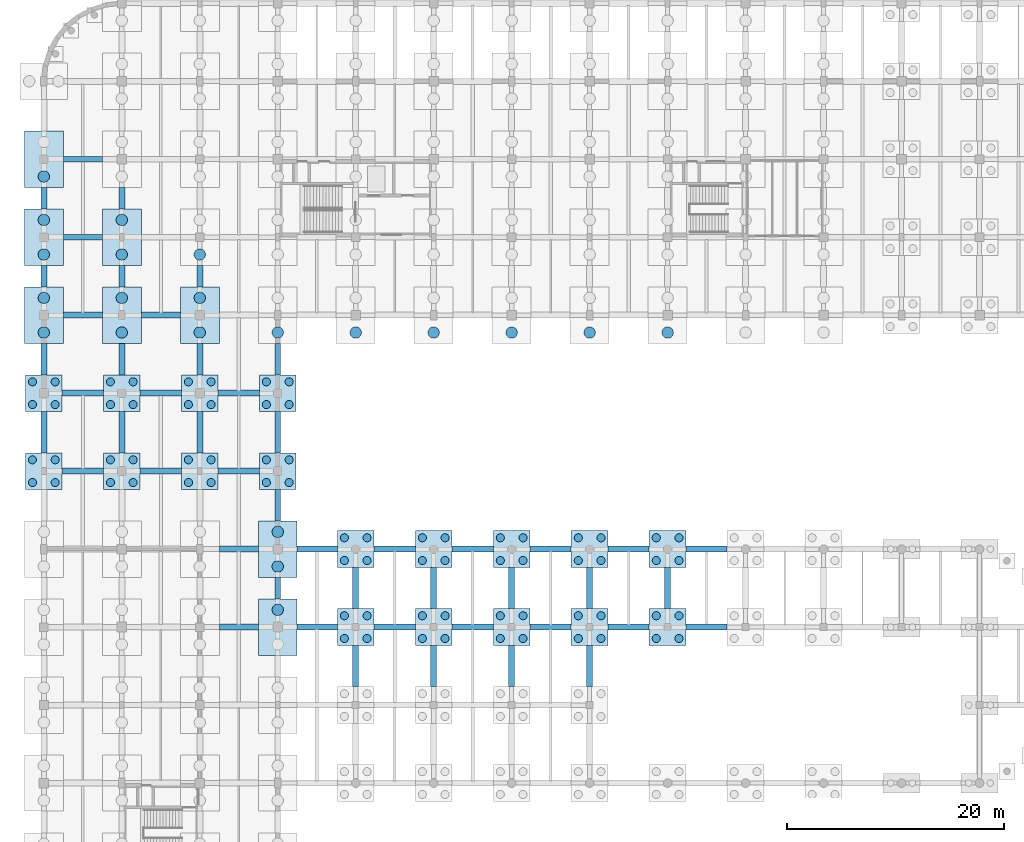
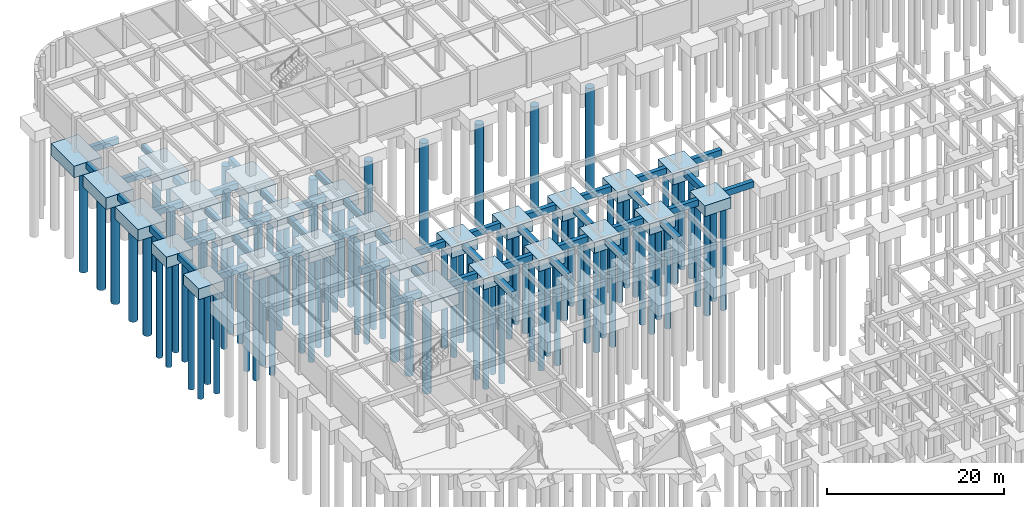
# One storey, part 6 of 47: 93 piles, 74 footings.
"""IFC4 building model written with IfcOpenShell, lengths in metres."""

from ifc_helpers import new_model, si_unit, direction, frame, origin, origin_2d, place, context, subcontext, project, spatial, rectangle, circle, extrude, material, material_profile, profile_set, type_object, element, save


model = new_model("IFC4")

# Units and contexts
model_context = context("Model", 3, precision=1e-05, world=origin(), true_north=direction((0.0, 1.0)))
body_context = subcontext(model_context, "Body", "Model", "MODEL_VIEW")
ifc_project = project(units=[si_unit("LENGTHUNIT", "METRE"), si_unit("AREAUNIT", "SQUARE_METRE"), si_unit("VOLUMEUNIT", "CUBIC_METRE"), si_unit("PLANEANGLEUNIT", "RADIAN"), si_unit("MASSUNIT", "GRAM", prefix="KILO")], contexts=[model_context])

# Site, building, storey
site_placement = place(None, origin())
site = spatial("IfcSite", under=ifc_project, at=site_placement, CompositionType="ELEMENT")
building_placement = place(site_placement, origin())
building = spatial("IfcBuilding", under=site, at=building_placement, Name="Thalmaran Polytechnic", CompositionType="ELEMENT")
storey_placement = place(building_placement, frame((0.0, 0.0, -4.5)))
storey = spatial("IfcBuildingStorey", under=building, at=storey_placement, Name="B1", CompositionType="ELEMENT", Elevation=-4.5)

# Footings
ifc_material_1 = material(Name="Concrete C40/50", Category="concrete")
ifc_material_profile_1 = material_profile(ifc_material_1, rectangle(XDim=0.550048828125, YDim=0.85009765625, at=origin_2d()), Name="RC 550x850")
ifc_profile_set_1 = profile_set([ifc_material_profile_1], Name="Concrete C40/50")
footing_type_1 = type_object("IfcFootingType", Name="FN-GB01", PredefinedType="FOOTING_BEAM", material=ifc_profile_set_1)
for number, where, z_axis, x_axis, name in (
    (1, (1.699951171875, 79.199951171875, -0.875), (1.0, 0.0, 0.0), (0.0, 1.0, 0.0), "Ground Tie Beam B1 X (0,11)"),
    (2, (0.0, 80.89990234375, -0.875), (0.0, 1.0, 0.0), (-1.0, 0.0, 0.0), "Ground Tie Beam B1 Y (0,11)"),
    (3, (1.699951171875, 86.39990234375, -0.875), (1.0, 0.0, 0.0), (0.0, 1.0, 0.0), "Ground Tie Beam B1 X (0,12)"),
):
    element("IfcFooting", number, at=place(storey_placement, frame(where, z_axis=z_axis, x_axis=x_axis)), inside=storey, type_object=footing_type_1, Name=name, PredefinedType="FOOTING_BEAM", context=body_context, shape_type="SweptSolid", body=[
        extrude(rectangle(XDim=0.550048828125, YDim=0.85009765625, at=origin_2d()), origin(), (0.0, 0.0, 1.0), 3.800048828125),
    ])
footing_1_placement = place(storey_placement, frame((0.0, 88.10009765625, -0.875), z_axis=(0.0, 1.0, 0.0), x_axis=(-1.0, 0.0, 0.0)))
element("IfcFooting", 4, at=footing_1_placement, inside=storey, type_object=footing_type_1, Name="Ground Tie Beam B1 Y (0,12)", PredefinedType="FOOTING_BEAM", context=body_context, shape_type="SweptSolid", body=[
    extrude(rectangle(XDim=0.550048828125, YDim=0.85009765625, at=origin_2d()), origin(), (0.0, 0.0, 1.0), 2.89990234375),
])
footing_2_placement = place(storey_placement, frame((1.800048828125, 93.60009765625, -0.875), z_axis=(1.0, 0.0, 0.0), x_axis=(0.0, 1.0, 0.0)))
element("IfcFooting", 5, at=footing_2_placement, inside=storey, type_object=footing_type_1, Name="Ground Tie Beam B1 X (0,13)", PredefinedType="FOOTING_BEAM", context=body_context, shape_type="SweptSolid", body=[
    extrude(rectangle(XDim=0.550048828125, YDim=0.85009765625, at=origin_2d()), origin(), (0.0, 0.0, 1.0), 3.599853515625),
])
footing_3_placement = place(storey_placement, frame((0.0, 96.199951171875, -0.875), z_axis=(0.0, 1.0, 0.0), x_axis=(-1.0, 0.0, 0.0)))
element("IfcFooting", 6, at=footing_3_placement, inside=storey, type_object=footing_type_1, Name="Ground Tie Beam B1 Y (0,13)", PredefinedType="FOOTING_BEAM", context=body_context, shape_type="SweptSolid", body=[
    extrude(rectangle(XDim=0.550048828125, YDim=0.85009765625, at=origin_2d()), origin(), (0.0, 0.0, 1.0), 2.0),
])
footing_4_placement = place(storey_placement, frame((1.800048828125, 100.800048828125, -0.875), z_axis=(1.0, 0.0, 0.0), x_axis=(0.0, 1.0, 0.0)))
element("IfcFooting", 7, at=footing_4_placement, inside=storey, type_object=footing_type_1, Name="Ground Tie Beam B1 X (0,14)", PredefinedType="FOOTING_BEAM", context=body_context, shape_type="SweptSolid", body=[
    extrude(rectangle(XDim=0.550048828125, YDim=0.85009765625, at=origin_2d()), origin(), (0.0, 0.0, 1.0), 3.599853515625),
])
footing_5_placement = place(storey_placement, frame((0.0, 103.39990234375, -0.875), z_axis=(0.0, 1.0, 0.0), x_axis=(-1.0, 0.0, 0.0)))
element("IfcFooting", 8, at=footing_5_placement, inside=storey, type_object=footing_type_1, Name="Ground Tie Beam B1 Y (0,14)", PredefinedType="FOOTING_BEAM", context=body_context, shape_type="SweptSolid", body=[
    extrude(rectangle(XDim=0.550048828125, YDim=0.85009765625, at=origin_2d()), origin(), (0.0, 0.0, 1.0), 2.0),
])
footing_6_placement = place(storey_placement, frame((1.800048828125, 108.0, -0.875), z_axis=(1.0, 0.0, 0.0), x_axis=(0.0, 1.0, 0.0)))
element("IfcFooting", 9, at=footing_6_placement, inside=storey, type_object=footing_type_1, Name="Ground Tie Beam B1 X (0,15)", PredefinedType="FOOTING_BEAM", context=body_context, shape_type="SweptSolid", body=[
    extrude(rectangle(XDim=0.550048828125, YDim=0.85009765625, at=origin_2d()), origin(), (0.0, 0.0, 1.0), 3.599853515625),
])
for number, where, z_axis, x_axis, name in (
    (10, (8.89990234375, 79.199951171875, -0.875), (1.0, 0.0, 0.0), (0.0, 1.0, 0.0), "Ground Tie Beam B1 X (1,11)"),
    (11, (7.199951171875, 80.89990234375, -0.875), (0.0, 1.0, 0.0), (-1.0, 0.0, 0.0), "Ground Tie Beam B1 Y (1,11)"),
    (12, (8.89990234375, 86.39990234375, -0.875), (1.0, 0.0, 0.0), (0.0, 1.0, 0.0), "Ground Tie Beam B1 X (1,12)"),
):
    element("IfcFooting", number, at=place(storey_placement, frame(where, z_axis=z_axis, x_axis=x_axis)), inside=storey, type_object=footing_type_1, Name=name, PredefinedType="FOOTING_BEAM", context=body_context, shape_type="SweptSolid", body=[
        extrude(rectangle(XDim=0.550048828125, YDim=0.85009765625, at=origin_2d()), origin(), (0.0, 0.0, 1.0), 3.800048828125),
    ])
footing_7_placement = place(storey_placement, frame((7.199951171875, 88.10009765625, -0.875), z_axis=(0.0, 1.0, 0.0), x_axis=(-1.0, 0.0, 0.0)))
element("IfcFooting", 13, at=footing_7_placement, inside=storey, type_object=footing_type_1, Name="Ground Tie Beam B1 Y (1,12)", PredefinedType="FOOTING_BEAM", context=body_context, shape_type="SweptSolid", body=[
    extrude(rectangle(XDim=0.550048828125, YDim=0.85009765625, at=origin_2d()), origin(), (0.0, 0.0, 1.0), 2.89990234375),
])
footing_8_placement = place(storey_placement, frame((9.0, 93.60009765625, -0.875), z_axis=(1.0, 0.0, 0.0), x_axis=(0.0, 1.0, 0.0)))
element("IfcFooting", 14, at=footing_8_placement, inside=storey, type_object=footing_type_1, Name="Ground Tie Beam B1 X (1,13)", PredefinedType="FOOTING_BEAM", context=body_context, shape_type="SweptSolid", body=[
    extrude(rectangle(XDim=0.550048828125, YDim=0.85009765625, at=origin_2d()), origin(), (0.0, 0.0, 1.0), 3.60009765625),
])
for number, where, z_axis, x_axis, name in (
    (15, (7.199951171875, 96.199951171875, -0.875), (0.0, 1.0, 0.0), (-1.0, 0.0, 0.0), "Ground Tie Beam B1 Y (1,13)"),
    (16, (7.199951171875, 103.39990234375, -0.875), (0.0, 1.0, 0.0), (-1.0, 0.0, 0.0), "Ground Tie Beam B1 Y (1,14)"),
):
    element("IfcFooting", number, at=place(storey_placement, frame(where, z_axis=z_axis, x_axis=x_axis)), inside=storey, type_object=footing_type_1, Name=name, PredefinedType="FOOTING_BEAM", context=body_context, shape_type="SweptSolid", body=[
        extrude(rectangle(XDim=0.550048828125, YDim=0.85009765625, at=origin_2d()), origin(), (0.0, 0.0, 1.0), 2.0),
    ])
for number, where, z_axis, x_axis, name in (
    (17, (16.199951171875, 64.800048828125, -0.875), (1.0, 0.0, 0.0), (0.0, 1.0, 0.0), "Ground Tie Beam B1 X (2,9)"),
    (18, (16.199951171875, 72.0, -0.875), (1.0, 0.0, 0.0), (0.0, 1.0, 0.0), "Ground Tie Beam B1 X (2,10)"),
):
    element("IfcFooting", number, at=place(storey_placement, frame(where, z_axis=z_axis, x_axis=x_axis)), inside=storey, type_object=footing_type_1, Name=name, PredefinedType="FOOTING_BEAM", context=body_context, shape_type="SweptSolid", body=[
        extrude(rectangle(XDim=0.550048828125, YDim=0.85009765625, at=origin_2d()), origin(), (0.0, 0.0, 1.0), 3.60009765625),
    ])
footing_9_placement = place(storey_placement, frame((16.10009765625, 79.199951171875, -0.875), z_axis=(1.0, 0.0, 0.0), x_axis=(0.0, 1.0, 0.0)))
element("IfcFooting", 19, at=footing_9_placement, inside=storey, type_object=footing_type_1, Name="Ground Tie Beam B1 X (2,11)", PredefinedType="FOOTING_BEAM", context=body_context, shape_type="SweptSolid", body=[
    extrude(rectangle(XDim=0.550048828125, YDim=0.85009765625, at=origin_2d()), origin(), (0.0, 0.0, 1.0), 3.7998046875),
])
footing_10_placement = place(storey_placement, frame((14.39990234375, 80.89990234375, -0.875), z_axis=(0.0, 1.0, 0.0), x_axis=(-1.0, 0.0, 0.0)))
element("IfcFooting", 20, at=footing_10_placement, inside=storey, type_object=footing_type_1, Name="Ground Tie Beam B1 Y (2,11)", PredefinedType="FOOTING_BEAM", context=body_context, shape_type="SweptSolid", body=[
    extrude(rectangle(XDim=0.550048828125, YDim=0.85009765625, at=origin_2d()), origin(), (0.0, 0.0, 1.0), 3.800048828125),
])
footing_11_placement = place(storey_placement, frame((16.10009765625, 86.39990234375, -0.875), z_axis=(1.0, 0.0, 0.0), x_axis=(0.0, 1.0, 0.0)))
element("IfcFooting", 21, at=footing_11_placement, inside=storey, type_object=footing_type_1, Name="Ground Tie Beam B1 X (2,12)", PredefinedType="FOOTING_BEAM", context=body_context, shape_type="SweptSolid", body=[
    extrude(rectangle(XDim=0.550048828125, YDim=0.85009765625, at=origin_2d()), origin(), (0.0, 0.0, 1.0), 3.7998046875),
])
footing_12_placement = place(storey_placement, frame((14.39990234375, 88.10009765625, -0.875), z_axis=(0.0, 1.0, 0.0), x_axis=(-1.0, 0.0, 0.0)))
element("IfcFooting", 22, at=footing_12_placement, inside=storey, type_object=footing_type_1, Name="Ground Tie Beam B1 Y (2,12)", PredefinedType="FOOTING_BEAM", context=body_context, shape_type="SweptSolid", body=[
    extrude(rectangle(XDim=0.550048828125, YDim=0.85009765625, at=origin_2d()), origin(), (0.0, 0.0, 1.0), 2.89990234375),
])
footing_13_placement = place(storey_placement, frame((14.39990234375, 96.199951171875, -0.875), z_axis=(0.0, 1.0, 0.0), x_axis=(-1.0, 0.0, 0.0)))
element("IfcFooting", 23, at=footing_13_placement, inside=storey, type_object=footing_type_1, Name="Ground Tie Beam B1 Y (2,13)", PredefinedType="FOOTING_BEAM", context=body_context, shape_type="SweptSolid", body=[
    extrude(rectangle(XDim=0.550048828125, YDim=0.85009765625, at=origin_2d()), origin(), (0.0, 0.0, 1.0), 2.0),
])
footing_14_placement = place(storey_placement, frame((23.39990234375, 64.800048828125, -0.875), z_axis=(1.0, 0.0, 0.0), x_axis=(0.0, 1.0, 0.0)))
element("IfcFooting", 24, at=footing_14_placement, inside=storey, type_object=footing_type_1, Name="Ground Tie Beam B1 X (3,9)", PredefinedType="FOOTING_BEAM", context=body_context, shape_type="SweptSolid", body=[
    extrude(rectangle(XDim=0.550048828125, YDim=0.85009765625, at=origin_2d()), origin(), (0.0, 0.0, 1.0), 3.7001953125),
])
footing_15_placement = place(storey_placement, frame((21.60009765625, 67.39990234375, -0.875), z_axis=(0.0, 1.0, 0.0), x_axis=(-1.0, 0.0, 0.0)))
element("IfcFooting", 25, at=footing_15_placement, inside=storey, type_object=footing_type_1, Name="Ground Tie Beam B1 Y (3,9)", PredefinedType="FOOTING_BEAM", context=body_context, shape_type="SweptSolid", body=[
    extrude(rectangle(XDim=0.550048828125, YDim=0.85009765625, at=origin_2d()), origin(), (0.0, 0.0, 1.0), 2.0),
])
footing_16_placement = place(storey_placement, frame((23.39990234375, 72.0, -0.875), z_axis=(1.0, 0.0, 0.0), x_axis=(0.0, 1.0, 0.0)))
element("IfcFooting", 26, at=footing_16_placement, inside=storey, type_object=footing_type_1, Name="Ground Tie Beam B1 X (3,10)", PredefinedType="FOOTING_BEAM", context=body_context, shape_type="SweptSolid", body=[
    extrude(rectangle(XDim=0.550048828125, YDim=0.85009765625, at=origin_2d()), origin(), (0.0, 0.0, 1.0), 3.7001953125),
])
footing_17_placement = place(storey_placement, frame((21.60009765625, 74.60009765625, -0.875), z_axis=(0.0, 1.0, 0.0), x_axis=(-1.0, 0.0, 0.0)))
element("IfcFooting", 27, at=footing_17_placement, inside=storey, type_object=footing_type_1, Name="Ground Tie Beam B1 Y (3,10)", PredefinedType="FOOTING_BEAM", context=body_context, shape_type="SweptSolid", body=[
    extrude(rectangle(XDim=0.550048828125, YDim=0.85009765625, at=origin_2d()), origin(), (0.0, 0.0, 1.0), 2.89990234375),
])
footing_18_placement = place(storey_placement, frame((21.60009765625, 80.89990234375, -0.875), z_axis=(0.0, 1.0, 0.0), x_axis=(-1.0, 0.0, 0.0)))
element("IfcFooting", 28, at=footing_18_placement, inside=storey, type_object=footing_type_1, Name="Ground Tie Beam B1 Y (3,11)", PredefinedType="FOOTING_BEAM", context=body_context, shape_type="SweptSolid", body=[
    extrude(rectangle(XDim=0.550048828125, YDim=0.85009765625, at=origin_2d()), origin(), (0.0, 0.0, 1.0), 3.800048828125),
])
footing_19_placement = place(storey_placement, frame((21.60009765625, 88.10009765625, -0.875), z_axis=(0.0, 1.0, 0.0), x_axis=(-1.0, 0.0, 0.0)))
element("IfcFooting", 29, at=footing_19_placement, inside=storey, type_object=footing_type_1, Name="Ground Tie Beam B1 Y (3,12)", PredefinedType="FOOTING_BEAM", context=body_context, shape_type="SweptSolid", body=[
    extrude(rectangle(XDim=0.550048828125, YDim=0.85009765625, at=origin_2d()), origin(), (0.0, 0.0, 1.0), 2.89990234375),
])
for number, where, z_axis, x_axis, name in (
    (30, (28.800048828125, 59.300048828125, -0.875), (0.0, 1.0, 0.0), (-1.0, 0.0, 0.0), "Ground Tie Beam B1 Y (4,8)"),
    (31, (30.5, 64.800048828125, -0.875), (1.0, 0.0, 0.0), (0.0, 1.0, 0.0), "Ground Tie Beam B1 X (4,9)"),
    (32, (28.800048828125, 66.5, -0.875), (0.0, 1.0, 0.0), (-1.0, 0.0, 0.0), "Ground Tie Beam B1 Y (4,9)"),
    (33, (30.5, 72.0, -0.875), (1.0, 0.0, 0.0), (0.0, 1.0, 0.0), "Ground Tie Beam B1 X (4,10)"),
    (34, (36.0, 59.300048828125, -0.875), (0.0, 1.0, 0.0), (-1.0, 0.0, 0.0), "Ground Tie Beam B1 Y (5,8)"),
    (35, (37.699951171875, 64.800048828125, -0.875), (1.0, 0.0, 0.0), (0.0, 1.0, 0.0), "Ground Tie Beam B1 X (5,9)"),
    (36, (36.0, 66.5, -0.875), (0.0, 1.0, 0.0), (-1.0, 0.0, 0.0), "Ground Tie Beam B1 Y (5,9)"),
    (37, (37.699951171875, 72.0, -0.875), (1.0, 0.0, 0.0), (0.0, 1.0, 0.0), "Ground Tie Beam B1 X (5,10)"),
    (38, (43.199951171875, 59.300048828125, -0.875), (0.0, 1.0, 0.0), (-1.0, 0.0, 0.0), "Ground Tie Beam B1 Y (6,8)"),
    (39, (44.89990234375, 64.800048828125, -0.875), (1.0, 0.0, 0.0), (0.0, 1.0, 0.0), "Ground Tie Beam B1 X (6,9)"),
    (40, (43.199951171875, 66.5, -0.875), (0.0, 1.0, 0.0), (-1.0, 0.0, 0.0), "Ground Tie Beam B1 Y (6,9)"),
    (41, (44.89990234375, 72.0, -0.875), (1.0, 0.0, 0.0), (0.0, 1.0, 0.0), "Ground Tie Beam B1 X (6,10)"),
    (42, (50.39990234375, 59.300048828125, -0.875), (0.0, 1.0, 0.0), (-1.0, 0.0, 0.0), "Ground Tie Beam B1 Y (7,8)"),
):
    element("IfcFooting", number, at=place(storey_placement, frame(where, z_axis=z_axis, x_axis=x_axis)), inside=storey, type_object=footing_type_1, Name=name, PredefinedType="FOOTING_BEAM", context=body_context, shape_type="SweptSolid", body=[
        extrude(rectangle(XDim=0.550048828125, YDim=0.85009765625, at=origin_2d()), origin(), (0.0, 0.0, 1.0), 3.800048828125),
    ])
footing_20_placement = place(storey_placement, frame((52.10009765625, 64.800048828125, -0.875), z_axis=(1.0, 0.0, 0.0), x_axis=(0.0, 1.0, 0.0)))
element("IfcFooting", 43, at=footing_20_placement, inside=storey, type_object=footing_type_1, Name="Ground Tie Beam B1 X (7,9)", PredefinedType="FOOTING_BEAM", context=body_context, shape_type="SweptSolid", body=[
    extrude(rectangle(XDim=0.550048828125, YDim=0.85009765625, at=origin_2d()), origin(), (0.0, 0.0, 1.0), 3.7998046875),
])
footing_21_placement = place(storey_placement, frame((50.39990234375, 66.5, -0.875), z_axis=(0.0, 1.0, 0.0), x_axis=(-1.0, 0.0, 0.0)))
element("IfcFooting", 44, at=footing_21_placement, inside=storey, type_object=footing_type_1, Name="Ground Tie Beam B1 Y (7,9)", PredefinedType="FOOTING_BEAM", context=body_context, shape_type="SweptSolid", body=[
    extrude(rectangle(XDim=0.550048828125, YDim=0.85009765625, at=origin_2d()), origin(), (0.0, 0.0, 1.0), 3.800048828125),
])
footing_22_placement = place(storey_placement, frame((52.10009765625, 72.0, -0.875), z_axis=(1.0, 0.0, 0.0), x_axis=(0.0, 1.0, 0.0)))
element("IfcFooting", 45, at=footing_22_placement, inside=storey, type_object=footing_type_1, Name="Ground Tie Beam B1 X (7,10)", PredefinedType="FOOTING_BEAM", context=body_context, shape_type="SweptSolid", body=[
    extrude(rectangle(XDim=0.550048828125, YDim=0.85009765625, at=origin_2d()), origin(), (0.0, 0.0, 1.0), 3.7998046875),
])
for number, where, z_axis, x_axis, name in (
    (46, (59.300048828125, 64.800048828125, -0.875), (1.0, 0.0, 0.0), (0.0, 1.0, 0.0), "Ground Tie Beam B1 X (8,9)"),
    (47, (57.60009765625, 66.5, -0.875), (0.0, 1.0, 0.0), (-1.0, 0.0, 0.0), "Ground Tie Beam B1 Y (8,9)"),
    (48, (59.300048828125, 72.0, -0.875), (1.0, 0.0, 0.0), (0.0, 1.0, 0.0), "Ground Tie Beam B1 X (8,10)"),
):
    element("IfcFooting", number, at=place(storey_placement, frame(where, z_axis=z_axis, x_axis=x_axis)), inside=storey, type_object=footing_type_1, Name=name, PredefinedType="FOOTING_BEAM", context=body_context, shape_type="SweptSolid", body=[
        extrude(rectangle(XDim=0.550048828125, YDim=0.85009765625, at=origin_2d()), origin(), (0.0, 0.0, 1.0), 3.800048828125),
    ])
footing_type_2 = type_object("IfcFootingType", Name="FN-PC01", PredefinedType="PILE_CAP", material=ifc_material_1)
for number, where, z_axis, x_axis, name in (
    (49, (0.0, 79.199951171875, -1.949951171875), (0.0, 0.0, 1.0), (1.0, 0.0, 0.0), "Pile Cap PC01 (0,11)"),
    (50, (0.0, 86.39990234375, -1.949951171875), (0.0, 0.0, 1.0), (1.0, 0.0, 0.0), "Pile Cap PC01 (0,12)"),
    (51, (7.199951171875, 79.199951171875, -1.949951171875), (0.0, 0.0, 1.0), (1.0, 0.0, 0.0), "Pile Cap PC01 (1,11)"),
    (52, (7.199951171875, 86.39990234375, -1.949951171875), (0.0, 0.0, 1.0), (1.0, 0.0, 0.0), "Pile Cap PC01 (1,12)"),
    (53, (14.39990234375, 79.199951171875, -1.949951171875), (0.0, 0.0, 1.0), (1.0, 0.0, 0.0), "Pile Cap PC01 (2,11)"),
    (54, (14.39990234375, 86.39990234375, -1.949951171875), (0.0, 0.0, 1.0), (1.0, 0.0, 0.0), "Pile Cap PC01 (2,12)"),
    (55, (21.60009765625, 79.199951171875, -1.949951171875), (0.0, 0.0, 1.0), (1.0, 0.0, 0.0), "Pile Cap PC01 (3,11)"),
    (56, (21.60009765625, 86.39990234375, -1.949951171875), (0.0, 0.0, 1.0), (1.0, 0.0, 0.0), "Pile Cap PC01 (3,12)"),
    (57, (28.800048828125, 64.800048828125, -1.949951171875), (0.0, 0.0, 1.0), (1.0, 0.0, 0.0), "Pile Cap PC01 (4,9)"),
    (58, (28.800048828125, 72.0, -1.949951171875), (0.0, 0.0, 1.0), (1.0, 0.0, 0.0), "Pile Cap PC01 (4,10)"),
    (59, (36.0, 64.800048828125, -1.949951171875), (0.0, 0.0, 1.0), (1.0, 0.0, 0.0), "Pile Cap PC01 (5,9)"),
    (60, (36.0, 72.0, -1.949951171875), (0.0, 0.0, 1.0), (1.0, 0.0, 0.0), "Pile Cap PC01 (5,10)"),
    (61, (43.199951171875, 64.800048828125, -1.949951171875), (0.0, 0.0, 1.0), (1.0, 0.0, 0.0), "Pile Cap PC01 (6,9)"),
    (62, (43.199951171875, 72.0, -1.949951171875), (0.0, 0.0, 1.0), (1.0, 0.0, 0.0), "Pile Cap PC01 (6,10)"),
    (63, (50.39990234375, 64.800048828125, -1.949951171875), (0.0, 0.0, 1.0), (1.0, 0.0, 0.0), "Pile Cap PC01 (7,9)"),
    (64, (50.39990234375, 72.0, -1.949951171875), (0.0, 0.0, 1.0), (1.0, 0.0, 0.0), "Pile Cap PC01 (7,10)"),
    (65, (57.60009765625, 64.800048828125, -1.949951171875), (0.0, 0.0, 1.0), (1.0, 0.0, 0.0), "Pile Cap PC01 (8,9)"),
    (66, (57.60009765625, 72.0, -1.949951171875), (0.0, 0.0, 1.0), (1.0, 0.0, 0.0), "Pile Cap PC01 (8,10)"),
):
    element("IfcFooting", number, at=place(storey_placement, frame(where, z_axis=z_axis, x_axis=x_axis)), inside=storey, type_object=footing_type_2, Name=name, PredefinedType="PILE_CAP", context=body_context, shape_type="SweptSolid", body=[
        extrude(rectangle(XDim=3.39990234375, YDim=3.39990234375, at=origin_2d()), origin(), (0.0, 0.0, 1.0), 1.5),
    ])
footing_type_3 = type_object("IfcFootingType", Name="FN-PC08", PredefinedType="PILE_CAP", material=ifc_material_1)
for number, where, z_axis, x_axis, name in (
    (67, (0.0, 93.60009765625, -2.050048828125), (0.0, 0.0, 1.0), (1.0, 0.0, 0.0), "Pile Cap PC08 (0,13)"),
    (68, (0.0, 100.800048828125, -2.050048828125), (0.0, 0.0, 1.0), (1.0, 0.0, 0.0), "Pile Cap PC08 (0,14)"),
    (69, (0.0, 108.0, -2.050048828125), (0.0, 0.0, 1.0), (1.0, 0.0, 0.0), "Pile Cap PC08 (0,15)"),
    (70, (7.199951171875, 93.60009765625, -2.050048828125), (0.0, 0.0, 1.0), (1.0, 0.0, 0.0), "Pile Cap PC08 (1,13)"),
    (71, (7.199951171875, 100.800048828125, -2.050048828125), (0.0, 0.0, 1.0), (1.0, 0.0, 0.0), "Pile Cap PC08 (1,14)"),
    (72, (14.39990234375, 93.60009765625, -2.050048828125), (0.0, 0.0, 1.0), (1.0, 0.0, 0.0), "Pile Cap PC08 (2,13)"),
    (73, (21.60009765625, 64.800048828125, -2.050048828125), (0.0, 0.0, 1.0), (1.0, 0.0, 0.0), "Pile Cap PC08 (3,9)"),
    (74, (21.60009765625, 72.0, -2.050048828125), (0.0, 0.0, 1.0), (1.0, 0.0, 0.0), "Pile Cap PC08 (3,10)"),
):
    element("IfcFooting", number, at=place(storey_placement, frame(where, z_axis=z_axis, x_axis=x_axis)), inside=storey, type_object=footing_type_3, Name=name, PredefinedType="PILE_CAP", context=body_context, shape_type="SweptSolid", body=[
        extrude(rectangle(XDim=3.60009765625, YDim=5.199951171875, at=origin_2d()), origin(), (0.0, 0.0, 1.0), 1.60009765625),
    ])

# Piles
ifc_material_2 = material(Name="Concrete C35/45", Category="concrete")
ifc_material_profile_2 = material_profile(ifc_material_2, circle(Radius=0.52490234375, at=origin_2d()), Name="RC 1050 DIA")
ifc_profile_set_2 = profile_set([ifc_material_profile_2], Name="Concrete C35/45")
pile_type_1 = type_object("IfcPileType", Name="PL-BP01", PredefinedType="BORED", material=ifc_profile_set_2)
for number, where, z_axis, x_axis, name in (
    (75, (0.0, 92.0, -2.050048828125), (0.0, 0.0, -1.0), (1.0, 0.0, 0.0), "Bored Pile BP01 (0,13)-1"),
    (76, (0.0, 95.199951171875, -2.050048828125), (0.0, 0.0, -1.0), (1.0, 0.0, 0.0), "Bored Pile BP01 (0,13)-2"),
    (77, (0.0, 99.199951171875, -2.050048828125), (0.0, 0.0, -1.0), (1.0, 0.0, 0.0), "Bored Pile BP01 (0,14)-1"),
    (78, (0.0, 102.39990234375, -2.050048828125), (0.0, 0.0, -1.0), (1.0, 0.0, 0.0), "Bored Pile BP01 (0,14)-2"),
    (79, (0.0, 106.39990234375, -2.050048828125), (0.0, 0.0, -1.0), (1.0, 0.0, 0.0), "Bored Pile BP01 (0,15)-1"),
    (80, (7.199951171875, 92.0, -2.050048828125), (0.0, 0.0, -1.0), (1.0, 0.0, 0.0), "Bored Pile BP01 (1,13)-1"),
    (81, (7.199951171875, 95.199951171875, -2.050048828125), (0.0, 0.0, -1.0), (1.0, 0.0, 0.0), "Bored Pile BP01 (1,13)-2"),
    (82, (7.199951171875, 99.199951171875, -2.050048828125), (0.0, 0.0, -1.0), (1.0, 0.0, 0.0), "Bored Pile BP01 (1,14)-1"),
    (83, (7.199951171875, 102.39990234375, -2.050048828125), (0.0, 0.0, -1.0), (1.0, 0.0, 0.0), "Bored Pile BP01 (1,14)-2"),
    (84, (14.39990234375, 92.0, -2.050048828125), (0.0, 0.0, -1.0), (1.0, 0.0, 0.0), "Bored Pile BP01 (2,13)-1"),
    (85, (14.39990234375, 95.199951171875, -2.050048828125), (0.0, 0.0, -1.0), (1.0, 0.0, 0.0), "Bored Pile BP01 (2,13)-2"),
    (86, (14.39990234375, 99.199951171875, -2.050048828125), (0.0, 0.0, -1.0), (1.0, 0.0, 0.0), "Bored Pile BP01 (2,14)-1"),
    (87, (21.60009765625, 66.39990234375, -2.050048828125), (0.0, 0.0, -1.0), (1.0, 0.0, 0.0), "Bored Pile BP01 (3,9)-2"),
    (88, (21.60009765625, 70.39990234375, -2.050048828125), (0.0, 0.0, -1.0), (1.0, 0.0, 0.0), "Bored Pile BP01 (3,10)-1"),
    (89, (21.60009765625, 73.60009765625, -2.050048828125), (0.0, 0.0, -1.0), (1.0, 0.0, 0.0), "Bored Pile BP01 (3,10)-2"),
    (90, (21.60009765625, 92.0, -2.050048828125), (0.0, 0.0, -1.0), (1.0, 0.0, 0.0), "Bored Pile BP01 (3,13)-1"),
    (91, (28.800048828125, 92.0, -2.050048828125), (0.0, 0.0, -1.0), (1.0, 0.0, 0.0), "Bored Pile BP01 (4,13)-1"),
    (92, (36.0, 92.0, -2.050048828125), (0.0, 0.0, -1.0), (1.0, 0.0, 0.0), "Bored Pile BP01 (5,13)-1"),
    (93, (43.199951171875, 92.0, -2.050048828125), (0.0, 0.0, -1.0), (1.0, 0.0, 0.0), "Bored Pile BP01 (6,13)-1"),
    (94, (50.39990234375, 92.0, -2.050048828125), (0.0, 0.0, -1.0), (1.0, 0.0, 0.0), "Bored Pile BP01 (7,13)-1"),
    (95, (57.60009765625, 92.0, -2.050048828125), (0.0, 0.0, -1.0), (1.0, 0.0, 0.0), "Bored Pile BP01 (8,13)-1"),
):
    element("IfcPile", number, at=place(storey_placement, frame(where, z_axis=z_axis, x_axis=x_axis)), inside=storey, type_object=pile_type_1, Name=name, PredefinedType="BORED", context=body_context, shape_type="SweptSolid", body=[
        extrude(circle(Radius=0.52490234375, at=origin_2d()), origin(), (0.0, 0.0, 1.0), 13.949951171875),
    ])
ifc_material_profile_3 = material_profile(ifc_material_2, circle(Radius=0.375, at=origin_2d()), Name="RC 750 DIA")
ifc_profile_set_3 = profile_set([ifc_material_profile_3], Name="Concrete C35/45")
pile_type_2 = type_object("IfcPileType", Name="PL-BP03", PredefinedType="BORED", material=ifc_profile_set_3)
for number, where, z_axis, x_axis, name in (
    (96, (-1.050048828125, 78.14990234375, -1.949951171875), (0.0, 0.0, -1.0), (1.0, 0.0, 0.0), "Bored Pile BP03 (0,11)-1"),
    (97, (-1.050048828125, 80.25, -1.949951171875), (0.0, 0.0, -1.0), (1.0, 0.0, 0.0), "Bored Pile BP03 (0,11)-2"),
    (98, (1.050048828125, 78.14990234375, -1.949951171875), (0.0, 0.0, -1.0), (1.0, 0.0, 0.0), "Bored Pile BP03 (0,11)-3"),
    (99, (1.050048828125, 80.25, -1.949951171875), (0.0, 0.0, -1.0), (1.0, 0.0, 0.0), "Bored Pile BP03 (0,11)-4"),
    (100, (-1.050048828125, 85.35009765625, -1.949951171875), (0.0, 0.0, -1.0), (1.0, 0.0, 0.0), "Bored Pile BP03 (0,12)-1"),
    (101, (-1.050048828125, 87.449951171875, -1.949951171875), (0.0, 0.0, -1.0), (1.0, 0.0, 0.0), "Bored Pile BP03 (0,12)-2"),
    (102, (1.050048828125, 85.35009765625, -1.949951171875), (0.0, 0.0, -1.0), (1.0, 0.0, 0.0), "Bored Pile BP03 (0,12)-3"),
    (103, (1.050048828125, 87.449951171875, -1.949951171875), (0.0, 0.0, -1.0), (1.0, 0.0, 0.0), "Bored Pile BP03 (0,12)-4"),
    (104, (6.14990234375, 78.14990234375, -1.949951171875), (0.0, 0.0, -1.0), (1.0, 0.0, 0.0), "Bored Pile BP03 (1,11)-1"),
    (105, (6.14990234375, 80.25, -1.949951171875), (0.0, 0.0, -1.0), (1.0, 0.0, 0.0), "Bored Pile BP03 (1,11)-2"),
    (106, (8.25, 78.14990234375, -1.949951171875), (0.0, 0.0, -1.0), (1.0, 0.0, 0.0), "Bored Pile BP03 (1,11)-3"),
    (107, (8.25, 80.25, -1.949951171875), (0.0, 0.0, -1.0), (1.0, 0.0, 0.0), "Bored Pile BP03 (1,11)-4"),
    (108, (6.14990234375, 85.35009765625, -1.949951171875), (0.0, 0.0, -1.0), (1.0, 0.0, 0.0), "Bored Pile BP03 (1,12)-1"),
    (109, (6.14990234375, 87.449951171875, -1.949951171875), (0.0, 0.0, -1.0), (1.0, 0.0, 0.0), "Bored Pile BP03 (1,12)-2"),
    (110, (8.25, 85.35009765625, -1.949951171875), (0.0, 0.0, -1.0), (1.0, 0.0, 0.0), "Bored Pile BP03 (1,12)-3"),
    (111, (8.25, 87.449951171875, -1.949951171875), (0.0, 0.0, -1.0), (1.0, 0.0, 0.0), "Bored Pile BP03 (1,12)-4"),
    (112, (13.35009765625, 78.14990234375, -1.949951171875), (0.0, 0.0, -1.0), (1.0, 0.0, 0.0), "Bored Pile BP03 (2,11)-1"),
    (113, (13.35009765625, 80.25, -1.949951171875), (0.0, 0.0, -1.0), (1.0, 0.0, 0.0), "Bored Pile BP03 (2,11)-2"),
    (114, (15.449951171875, 78.14990234375, -1.949951171875), (0.0, 0.0, -1.0), (1.0, 0.0, 0.0), "Bored Pile BP03 (2,11)-3"),
    (115, (15.449951171875, 80.25, -1.949951171875), (0.0, 0.0, -1.0), (1.0, 0.0, 0.0), "Bored Pile BP03 (2,11)-4"),
    (116, (13.35009765625, 85.35009765625, -1.949951171875), (0.0, 0.0, -1.0), (1.0, 0.0, 0.0), "Bored Pile BP03 (2,12)-1"),
    (117, (13.35009765625, 87.449951171875, -1.949951171875), (0.0, 0.0, -1.0), (1.0, 0.0, 0.0), "Bored Pile BP03 (2,12)-2"),
    (118, (15.449951171875, 85.35009765625, -1.949951171875), (0.0, 0.0, -1.0), (1.0, 0.0, 0.0), "Bored Pile BP03 (2,12)-3"),
    (119, (15.449951171875, 87.449951171875, -1.949951171875), (0.0, 0.0, -1.0), (1.0, 0.0, 0.0), "Bored Pile BP03 (2,12)-4"),
    (120, (20.550048828125, 78.14990234375, -1.949951171875), (0.0, 0.0, -1.0), (1.0, 0.0, 0.0), "Bored Pile BP03 (3,11)-1"),
    (121, (20.550048828125, 80.25, -1.949951171875), (0.0, 0.0, -1.0), (1.0, 0.0, 0.0), "Bored Pile BP03 (3,11)-2"),
    (122, (22.64990234375, 78.14990234375, -1.949951171875), (0.0, 0.0, -1.0), (1.0, 0.0, 0.0), "Bored Pile BP03 (3,11)-3"),
    (123, (22.64990234375, 80.25, -1.949951171875), (0.0, 0.0, -1.0), (1.0, 0.0, 0.0), "Bored Pile BP03 (3,11)-4"),
    (124, (20.550048828125, 85.35009765625, -1.949951171875), (0.0, 0.0, -1.0), (1.0, 0.0, 0.0), "Bored Pile BP03 (3,12)-1"),
    (125, (20.550048828125, 87.449951171875, -1.949951171875), (0.0, 0.0, -1.0), (1.0, 0.0, 0.0), "Bored Pile BP03 (3,12)-2"),
    (126, (22.64990234375, 85.35009765625, -1.949951171875), (0.0, 0.0, -1.0), (1.0, 0.0, 0.0), "Bored Pile BP03 (3,12)-3"),
    (127, (22.64990234375, 87.449951171875, -1.949951171875), (0.0, 0.0, -1.0), (1.0, 0.0, 0.0), "Bored Pile BP03 (3,12)-4"),
    (128, (27.75, 63.75, -1.949951171875), (0.0, 0.0, -1.0), (1.0, 0.0, 0.0), "Bored Pile BP03 (4,9)-1"),
    (129, (27.75, 65.85009765625, -1.949951171875), (0.0, 0.0, -1.0), (1.0, 0.0, 0.0), "Bored Pile BP03 (4,9)-2"),
    (130, (29.85009765625, 63.75, -1.949951171875), (0.0, 0.0, -1.0), (1.0, 0.0, 0.0), "Bored Pile BP03 (4,9)-3"),
    (131, (29.85009765625, 65.85009765625, -1.949951171875), (0.0, 0.0, -1.0), (1.0, 0.0, 0.0), "Bored Pile BP03 (4,9)-4"),
    (132, (27.75, 70.949951171875, -1.949951171875), (0.0, 0.0, -1.0), (1.0, 0.0, 0.0), "Bored Pile BP03 (4,10)-1"),
    (133, (27.75, 73.050048828125, -1.949951171875), (0.0, 0.0, -1.0), (1.0, 0.0, 0.0), "Bored Pile BP03 (4,10)-2"),
    (134, (29.85009765625, 70.949951171875, -1.949951171875), (0.0, 0.0, -1.0), (1.0, 0.0, 0.0), "Bored Pile BP03 (4,10)-3"),
    (135, (29.85009765625, 73.050048828125, -1.949951171875), (0.0, 0.0, -1.0), (1.0, 0.0, 0.0), "Bored Pile BP03 (4,10)-4"),
    (136, (34.949951171875, 63.75, -1.949951171875), (0.0, 0.0, -1.0), (1.0, 0.0, 0.0), "Bored Pile BP03 (5,9)-1"),
    (137, (34.949951171875, 65.85009765625, -1.949951171875), (0.0, 0.0, -1.0), (1.0, 0.0, 0.0), "Bored Pile BP03 (5,9)-2"),
    (138, (37.050048828125, 63.75, -1.949951171875), (0.0, 0.0, -1.0), (1.0, 0.0, 0.0), "Bored Pile BP03 (5,9)-3"),
    (139, (37.050048828125, 65.85009765625, -1.949951171875), (0.0, 0.0, -1.0), (1.0, 0.0, 0.0), "Bored Pile BP03 (5,9)-4"),
    (140, (34.949951171875, 70.949951171875, -1.949951171875), (0.0, 0.0, -1.0), (1.0, 0.0, 0.0), "Bored Pile BP03 (5,10)-1"),
    (141, (34.949951171875, 73.050048828125, -1.949951171875), (0.0, 0.0, -1.0), (1.0, 0.0, 0.0), "Bored Pile BP03 (5,10)-2"),
    (142, (37.050048828125, 70.949951171875, -1.949951171875), (0.0, 0.0, -1.0), (1.0, 0.0, 0.0), "Bored Pile BP03 (5,10)-3"),
    (143, (37.050048828125, 73.050048828125, -1.949951171875), (0.0, 0.0, -1.0), (1.0, 0.0, 0.0), "Bored Pile BP03 (5,10)-4"),
    (144, (42.14990234375, 63.75, -1.949951171875), (0.0, 0.0, -1.0), (1.0, 0.0, 0.0), "Bored Pile BP03 (6,9)-1"),
    (145, (42.14990234375, 65.85009765625, -1.949951171875), (0.0, 0.0, -1.0), (1.0, 0.0, 0.0), "Bored Pile BP03 (6,9)-2"),
    (146, (44.25, 63.75, -1.949951171875), (0.0, 0.0, -1.0), (1.0, 0.0, 0.0), "Bored Pile BP03 (6,9)-3"),
    (147, (44.25, 65.85009765625, -1.949951171875), (0.0, 0.0, -1.0), (1.0, 0.0, 0.0), "Bored Pile BP03 (6,9)-4"),
    (148, (42.14990234375, 70.949951171875, -1.949951171875), (0.0, 0.0, -1.0), (1.0, 0.0, 0.0), "Bored Pile BP03 (6,10)-1"),
    (149, (42.14990234375, 73.050048828125, -1.949951171875), (0.0, 0.0, -1.0), (1.0, 0.0, 0.0), "Bored Pile BP03 (6,10)-2"),
    (150, (44.25, 70.949951171875, -1.949951171875), (0.0, 0.0, -1.0), (1.0, 0.0, 0.0), "Bored Pile BP03 (6,10)-3"),
    (151, (44.25, 73.050048828125, -1.949951171875), (0.0, 0.0, -1.0), (1.0, 0.0, 0.0), "Bored Pile BP03 (6,10)-4"),
    (152, (49.35009765625, 63.75, -1.949951171875), (0.0, 0.0, -1.0), (1.0, 0.0, 0.0), "Bored Pile BP03 (7,9)-1"),
    (153, (49.35009765625, 65.85009765625, -1.949951171875), (0.0, 0.0, -1.0), (1.0, 0.0, 0.0), "Bored Pile BP03 (7,9)-2"),
    (154, (51.449951171875, 63.75, -1.949951171875), (0.0, 0.0, -1.0), (1.0, 0.0, 0.0), "Bored Pile BP03 (7,9)-3"),
    (155, (51.449951171875, 65.85009765625, -1.949951171875), (0.0, 0.0, -1.0), (1.0, 0.0, 0.0), "Bored Pile BP03 (7,9)-4"),
    (156, (49.35009765625, 70.949951171875, -1.949951171875), (0.0, 0.0, -1.0), (1.0, 0.0, 0.0), "Bored Pile BP03 (7,10)-1"),
    (157, (49.35009765625, 73.050048828125, -1.949951171875), (0.0, 0.0, -1.0), (1.0, 0.0, 0.0), "Bored Pile BP03 (7,10)-2"),
    (158, (51.449951171875, 70.949951171875, -1.949951171875), (0.0, 0.0, -1.0), (1.0, 0.0, 0.0), "Bored Pile BP03 (7,10)-3"),
    (159, (51.449951171875, 73.050048828125, -1.949951171875), (0.0, 0.0, -1.0), (1.0, 0.0, 0.0), "Bored Pile BP03 (7,10)-4"),
    (160, (56.550048828125, 63.75, -1.949951171875), (0.0, 0.0, -1.0), (1.0, 0.0, 0.0), "Bored Pile BP03 (8,9)-1"),
    (161, (56.550048828125, 65.85009765625, -1.949951171875), (0.0, 0.0, -1.0), (1.0, 0.0, 0.0), "Bored Pile BP03 (8,9)-2"),
    (162, (58.64990234375, 63.75, -1.949951171875), (0.0, 0.0, -1.0), (1.0, 0.0, 0.0), "Bored Pile BP03 (8,9)-3"),
    (163, (58.64990234375, 65.85009765625, -1.949951171875), (0.0, 0.0, -1.0), (1.0, 0.0, 0.0), "Bored Pile BP03 (8,9)-4"),
    (164, (56.550048828125, 70.949951171875, -1.949951171875), (0.0, 0.0, -1.0), (1.0, 0.0, 0.0), "Bored Pile BP03 (8,10)-1"),
    (165, (56.550048828125, 73.050048828125, -1.949951171875), (0.0, 0.0, -1.0), (1.0, 0.0, 0.0), "Bored Pile BP03 (8,10)-2"),
    (166, (58.64990234375, 70.949951171875, -1.949951171875), (0.0, 0.0, -1.0), (1.0, 0.0, 0.0), "Bored Pile BP03 (8,10)-3"),
    (167, (58.64990234375, 73.050048828125, -1.949951171875), (0.0, 0.0, -1.0), (1.0, 0.0, 0.0), "Bored Pile BP03 (8,10)-4"),
):
    element("IfcPile", number, at=place(storey_placement, frame(where, z_axis=z_axis, x_axis=x_axis)), inside=storey, type_object=pile_type_2, Name=name, PredefinedType="BORED", context=body_context, shape_type="SweptSolid", body=[
        extrude(circle(Radius=0.375, at=origin_2d()), origin(), (0.0, 0.0, 1.0), 14.050048828125),
    ])

save(model, "model.ifc")
